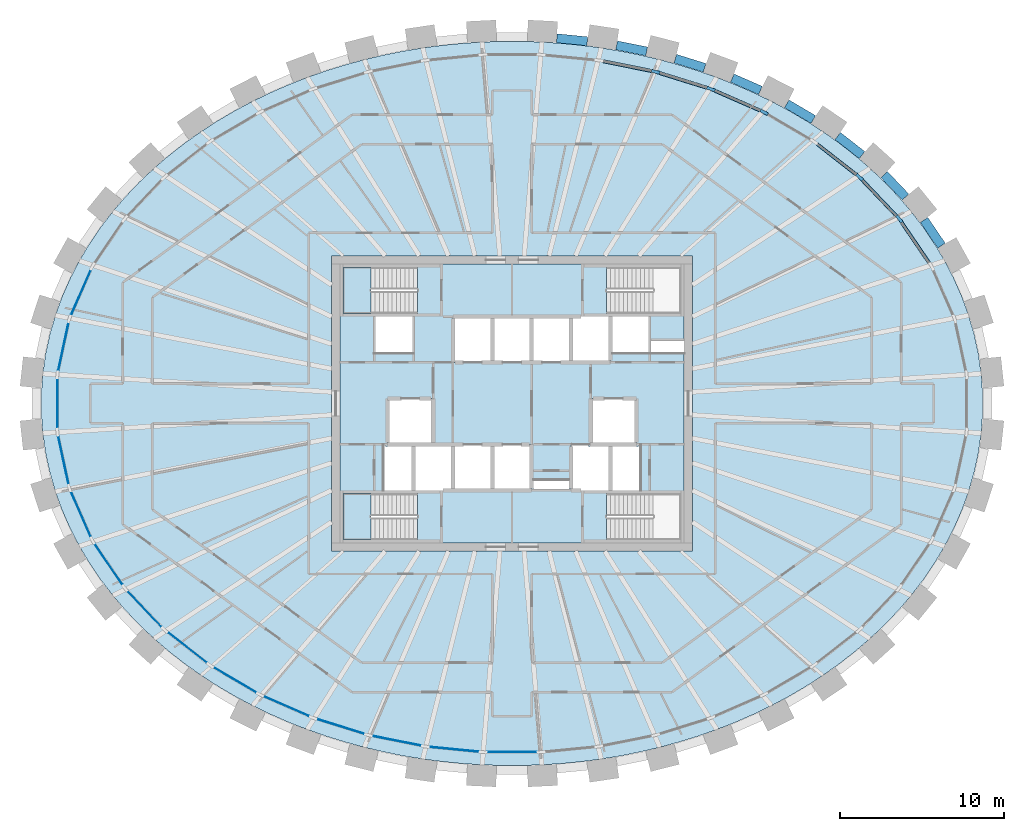
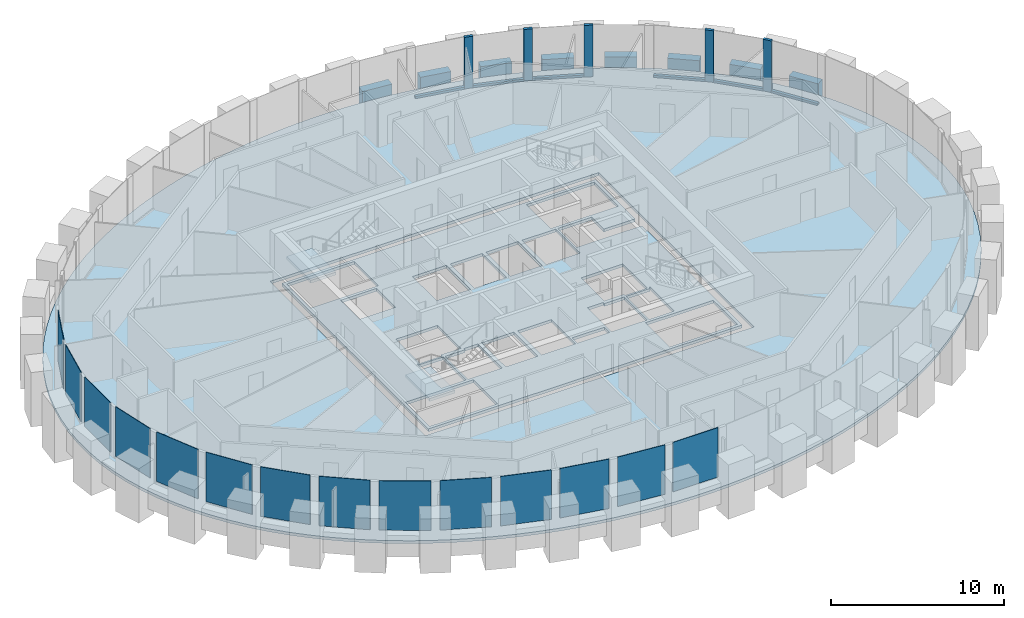
# One storey, part 4 of 11: 14 plates, 11 members, 8 beams, 4 slabs, 3 elements without a shape of their own.
"""IFC4 building model written with IfcOpenShell, lengths in metres."""

from ifc_helpers import new_model, si_unit, direction, frame, origin, origin_2d, place, context, subcontext, project, spatial, polyline, rectangle, outline, extrude, source, transform, mapped, material, layer, layer_set, material_profile, profile_set, type_object, element, aggregate, save


model = new_model("IFC4")

# Units and contexts
model_context = context("Model", 3, precision=1e-05, world=origin(), true_north=direction((0.0, 1.0)))
body_context = subcontext(model_context, "Body", "Model", "MODEL_VIEW")
ifc_project = project(units=[si_unit("LENGTHUNIT", "METRE"), si_unit("AREAUNIT", "SQUARE_METRE"), si_unit("VOLUMEUNIT", "CUBIC_METRE"), si_unit("PLANEANGLEUNIT", "RADIAN"), si_unit("MASSUNIT", "GRAM", prefix="KILO")], contexts=[model_context])

# Site, building, storey
site_placement = place(None, origin())
site = spatial("IfcSite", under=ifc_project, at=site_placement, CompositionType="ELEMENT")
building_placement = place(site_placement, origin())
building = spatial("IfcBuilding", under=site, at=building_placement, Name="Embergate Tower", CompositionType="ELEMENT")
storey_placement = place(building_placement, frame((0.0, 0.0, 328.60009765625)))
storey = spatial("IfcBuildingStorey", under=building, at=storey_placement, Name="L77", CompositionType="ELEMENT", Elevation=328.60009765625)

# Beams
ifc_material_1 = material(Name="Concrete C50", Category="concrete")
ifc_material_profile_1 = material_profile(ifc_material_1, rectangle(XDim=0.550048828125, YDim=1.5, at=origin_2d()), Name="RC 550x1500")
ifc_profile_set_1 = profile_set([ifc_material_profile_1], Name="Concrete C50")
beam_type = type_object("IfcBeamType", Name="Spandrel beam RC 550x1500 C50", PredefinedType="BEAM", material=ifc_profile_set_1)
shared_shape_1 = source(origin(), body_context, "Body", "SweptSolid", [
    extrude(rectangle(XDim=0.550048828125, YDim=1.5, at=origin_2d()), origin(), (0.0, 0.0, 1.0), 1.893798828125),
])
beam_1_placement = place(storey_placement, frame((26.194091796875, 9.6240234375, 0.0), z_axis=(-0.562440477268, 0.826837777034, 0.0), x_axis=(-0.826837777034, -0.562440477268, 0.0)))
element("IfcBeam", 1, at=beam_1_placement, inside=storey, type_object=beam_type, Name="SPN-L77-02", PredefinedType="BEAM", context=body_context, shape_type="MappedRepresentation", body=[
    mapped(shared_shape_1, transform((0.0, 0.0, 0.0))),
])
shared_shape_2 = source(origin(), body_context, "Body", "SweptSolid", [
    extrude(rectangle(XDim=0.550048828125, YDim=1.5, at=origin_2d()), origin(), (0.0, 0.0, 1.0), 1.8876953125),
])
beam_2_placement = place(storey_placement, frame((23.998046875, 12.590087890625, 0.0), z_axis=(-0.69022655599, 0.723593325982, 0.0), x_axis=(-0.723593325982, -0.69022655599, 0.0)))
element("IfcBeam", 2, at=beam_2_placement, inside=storey, type_object=beam_type, Name="SPN-L77-03", PredefinedType="BEAM", context=body_context, shape_type="MappedRepresentation", body=[
    mapped(shared_shape_2, transform((0.0, 0.0, 0.0))),
])
shared_shape_3 = source(origin(), body_context, "Body", "SweptSolid", [
    extrude(rectangle(XDim=0.550048828125, YDim=1.5, at=origin_2d()), origin(), (0.0, 0.0, 1.0), 1.88232421875),
])
beam_3_placement = place(storey_placement, frame((21.347900390625, 15.14990234375, 0.0), z_axis=(-0.788303508782, 0.615286582043, 0.0), x_axis=(-0.615286582043, -0.788303508782, 0.0)))
element("IfcBeam", 3, at=beam_3_placement, inside=storey, type_object=beam_type, Name="SPN-L77-04", PredefinedType="BEAM", context=body_context, shape_type="MappedRepresentation", body=[
    mapped(shared_shape_3, transform((0.0, 0.0, 0.0))),
])
shared_shape_4 = source(origin(), body_context, "Body", "SweptSolid", [
    extrude(rectangle(XDim=0.550048828125, YDim=1.5, at=origin_2d()), origin(), (0.0, 0.0, 1.0), 1.87939453125),
])
beam_4_placement = place(storey_placement, frame((18.3759765625, 17.320068359375, 0.0), z_axis=(-0.861930875636, 0.507025803708, 0.0), x_axis=(-0.507025803708, -0.861930875636, 0.0)))
element("IfcBeam", 4, at=beam_4_placement, inside=storey, type_object=beam_type, Name="SPN-L77-05", PredefinedType="BEAM", context=body_context, shape_type="MappedRepresentation", body=[
    mapped(shared_shape_4, transform((0.0, 0.0, 0.0))),
])
shared_shape_5 = source(origin(), body_context, "Body", "SweptSolid", [
    extrude(rectangle(XDim=0.550048828125, YDim=1.5, at=origin_2d()), origin(), (0.0, 0.0, 1.0), 1.876708984375),
])
beam_5_placement = place(storey_placement, frame((15.153076171875, 19.091064453125, 0.0), z_axis=(-0.916452657221, 0.400143133231, 0.0), x_axis=(-0.400143133231, -0.916452657221, 0.0)))
element("IfcBeam", 5, at=beam_5_placement, inside=storey, type_object=beam_type, Name="SPN-L77-06", PredefinedType="BEAM", context=body_context, shape_type="MappedRepresentation", body=[
    mapped(shared_shape_5, transform((0.0, 0.0, 0.0))),
])
shared_shape_6 = source(origin(), body_context, "Body", "SweptSolid", [
    extrude(rectangle(XDim=0.550048828125, YDim=1.5, at=origin_2d()), origin(), (0.0, 0.0, 1.0), 1.873779296875),
])
for number, where, z_axis, x_axis, name in (
    (6, (11.7470703125, 20.470947265625, 0.0), (-0.954776255033, 0.297325247542, 0.0), (-0.297325247542, -0.954776255033, 0.0), "SPN-L77-07"),
    (7, (8.214111328125, 21.472900390625, 0.0), (-0.980404898084, 0.196992984173, 0.0), (-0.196992984173, -0.980404898084, 0.0), "SPN-L77-08"),
):
    element("IfcBeam", number, at=place(storey_placement, frame(where, z_axis=z_axis, x_axis=x_axis)), inside=storey, type_object=beam_type, Name=name, PredefinedType="BEAM", context=body_context, shape_type="MappedRepresentation", body=[
        mapped(shared_shape_6, transform((0.0, 0.0, 0.0))),
    ])
shared_shape_7 = source(origin(), body_context, "Body", "SweptSolid", [
    extrude(rectangle(XDim=0.550048828125, YDim=1.5, at=origin_2d()), origin(), (0.0, 0.0, 1.0), 1.87109375),
])
beam_6_placement = place(storey_placement, frame((4.593994140625, 22.0869140625, 0.0), z_axis=(-0.995148946648, 0.098379743775, 0.0), x_axis=(-0.098379743775, -0.995148946648, 0.0)))
element("IfcBeam", 8, at=beam_6_placement, inside=storey, type_object=beam_type, Name="SPN-L77-09", PredefinedType="BEAM", context=body_context, shape_type="MappedRepresentation", body=[
    mapped(shared_shape_7, transform((0.0, 0.0, 0.0))),
])

# Curtain wall, members
ifc_material_2 = material(Name="Aluminium and glass", Category="aluminium")
curtain_wall_type = type_object("IfcCurtainWallType", Name="Recessed office glazing", PredefinedType="NOTDEFINED", material=ifc_material_2)
curtain_wall_placement = place(storey_placement, origin())
curtain_wall = element("IfcCurtainWall", 9, at=curtain_wall_placement, inside=storey, type_object=curtain_wall_type, Name="Recessed office glazing ring", ObjectType="RECESSED OFFICE GLAZING", PredefinedType="USERDEFINED")
ifc_material_3 = material(Name="Aluminium, thermally broken", Category="aluminium")
ifc_material_profile_2 = material_profile(ifc_material_3, rectangle(XDim=0.179931640625, YDim=0.52001953125, at=origin_2d()), Name="AL 520x180")
ifc_profile_set_2 = profile_set([ifc_material_profile_2], Name="Aluminium, thermally broken")
member_type_1 = type_object("IfcMemberType", Name="Office mullion", PredefinedType="MULLION", material=ifc_profile_set_2)
shared_shape_8 = source(origin(), body_context, "Body", "SweptSolid", [
    extrude(rectangle(XDim=0.179931640625, YDim=0.52001953125, at=origin_2d()), origin(), (0.0, 0.0, 1.0), 3.64990234375),
])
member_1_placement = place(storey_placement, frame((23.615234375, 11.260009765625, 0.0), z_axis=(0.0, 0.0, 1.0), x_axis=(-0.777856112038, -0.628442414996, 0.0)))
member_1 = element("IfcMember", 10, at=member_1_placement, type_object=member_type_1, Name="CW mullion 4", PredefinedType="MULLION", context=body_context, shape_type="MappedRepresentation", body=[
    mapped(shared_shape_8, transform((0.0, 0.0, 0.0))),
])
member_2_placement = place(storey_placement, frame((21.189453125, 13.8037109375, 0.0), z_axis=(0.0, 0.0, 1.0), x_axis=(-0.671212302811, -0.741265164807, 0.0)))
member_2 = element("IfcMember", 11, at=member_2_placement, type_object=member_type_1, Name="CW mullion 5", PredefinedType="MULLION", context=body_context, shape_type="MappedRepresentation", body=[
    mapped(shared_shape_8, transform((0.0, 0.0, 0.0))),
])
member_3_placement = place(storey_placement, frame((15.371826171875, 17.758544921875, 0.0), z_axis=(0.0, 0.0, 1.0), x_axis=(-0.454502052684, -0.890745689917, 0.0)))
member_3 = element("IfcMember", 12, at=member_3_placement, type_object=member_type_1, Name="CW mullion 7", PredefinedType="MULLION", context=body_context, shape_type="MappedRepresentation", body=[
    mapped(shared_shape_8, transform((0.0, 0.0, 0.0))),
])
member_4_placement = place(storey_placement, frame((12.135498046875, 19.173583984375, 0.0), z_axis=(0.0, 0.0, 1.0), x_axis=(-0.349496141799, -0.936937803094, 0.0)))
member_4 = element("IfcMember", 13, at=member_4_placement, type_object=member_type_1, Name="CW mullion 8", PredefinedType="MULLION", context=body_context, shape_type="MappedRepresentation", body=[
    mapped(shared_shape_8, transform((0.0, 0.0, 0.0))),
])
member_5_placement = place(storey_placement, frame((8.760009765625, 20.22509765625, 0.0), z_axis=(0.0, 0.0, 1.0), x_axis=(-0.24730680803, -0.968937223303, 0.0)))
member_5 = element("IfcMember", 14, at=member_5_placement, type_object=member_type_1, Name="CW mullion 9", PredefinedType="MULLION", context=body_context, shape_type="MappedRepresentation", body=[
    mapped(shared_shape_8, transform((0.0, 0.0, 0.0))),
])
ifc_material_profile_3 = material_profile(ifc_material_3, rectangle(XDim=0.179931640625, YDim=0.14990234375, at=origin_2d()), Name="AL 150x180")
ifc_profile_set_3 = profile_set([ifc_material_profile_3], Name="Aluminium, thermally broken")
member_type_2 = type_object("IfcMemberType", Name="Office sill transom", PredefinedType="USERDEFINED", material=ifc_profile_set_3)
shared_shape_9 = source(origin(), body_context, "Body", "SweptSolid", [
    extrude(rectangle(XDim=0.179931640625, YDim=0.14990234375, at=origin_2d()), origin(), (0.0, 0.0, 1.0), 2.986328125),
])
member_6_placement = place(storey_placement, frame((25.44091796875, 8.57568359375, 0.074951171875), z_axis=(-0.562354741313, 0.826896090766, 0.0), x_axis=(-0.826896090766, -0.562354741313, 0.0)))
member_6 = element("IfcMember", 15, at=member_6_placement, type_object=member_type_2, Name="CW transom 3.1", ObjectType="TRANSOM", PredefinedType="USERDEFINED", context=body_context, shape_type="MappedRepresentation", body=[
    mapped(shared_shape_9, transform((0.0, 0.0, 0.0))),
])
shared_shape_10 = source(origin(), body_context, "Body", "SweptSolid", [
    extrude(rectangle(XDim=0.179931640625, YDim=0.14990234375, at=origin_2d()), origin(), (0.0, 0.0, 1.0), 2.994873046875),
])
member_7_placement = place(storey_placement, frame((23.435791015625, 11.4482421875, 0.074951171875), z_axis=(-0.690155764785, 0.723660846208, 0.0), x_axis=(-0.723660846208, -0.690155764785, 0.0)))
member_7 = element("IfcMember", 16, at=member_7_placement, type_object=member_type_2, Name="CW transom 4.1", ObjectType="TRANSOM", PredefinedType="USERDEFINED", context=body_context, shape_type="MappedRepresentation", body=[
    mapped(shared_shape_10, transform((0.0, 0.0, 0.0))),
])
shared_shape_11 = source(origin(), body_context, "Body", "SweptSolid", [
    extrude(rectangle(XDim=0.179931640625, YDim=0.14990234375, at=origin_2d()), origin(), (0.0, 0.0, 1.0), 3.002197265625),
])
member_8_placement = place(storey_placement, frame((20.984619140625, 13.963623046875, 0.074951171875), z_axis=(-0.788317707507, 0.615268390241, 0.0), x_axis=(-0.615268390241, -0.788317707507, 0.0)))
member_8 = element("IfcMember", 17, at=member_8_placement, type_object=member_type_2, Name="CW transom 5.1", ObjectType="TRANSOM", PredefinedType="USERDEFINED", context=body_context, shape_type="MappedRepresentation", body=[
    mapped(shared_shape_11, transform((0.0, 0.0, 0.0))),
])
shared_shape_12 = source(origin(), body_context, "Body", "SweptSolid", [
    extrude(rectangle(XDim=0.179931640625, YDim=0.14990234375, at=origin_2d()), origin(), (0.0, 0.0, 1.0), 3.01220703125),
])
member_9_placement = place(storey_placement, frame((15.1337890625, 17.86279296875, 0.074951171875), z_axis=(-0.91624473838, 0.400618995295, 0.0), x_axis=(-0.400618995295, -0.91624473838, 0.0)))
member_9 = element("IfcMember", 18, at=member_9_placement, type_object=member_type_2, Name="CW transom 7.1", ObjectType="TRANSOM", PredefinedType="USERDEFINED", context=body_context, shape_type="MappedRepresentation", body=[
    mapped(shared_shape_12, transform((0.0, 0.0, 0.0))),
])
shared_shape_13 = source(origin(), body_context, "Body", "SweptSolid", [
    extrude(rectangle(XDim=0.179931640625, YDim=0.14990234375, at=origin_2d()), origin(), (0.0, 0.0, 1.0), 3.01513671875),
])
member_10_placement = place(storey_placement, frame((11.88720703125, 19.251220703125, 0.074951171875), z_axis=(-0.95477916578, 0.297315900335, 0.0), x_axis=(-0.297315900335, -0.95477916578, 0.0)))
member_10 = element("IfcMember", 19, at=member_10_placement, type_object=member_type_2, Name="CW transom 8.1", ObjectType="TRANSOM", PredefinedType="USERDEFINED", context=body_context, shape_type="MappedRepresentation", body=[
    mapped(shared_shape_13, transform((0.0, 0.0, 0.0))),
])
shared_shape_14 = source(origin(), body_context, "Body", "SweptSolid", [
    extrude(rectangle(XDim=0.179931640625, YDim=0.14990234375, at=origin_2d()), origin(), (0.0, 0.0, 1.0), 3.017578125),
])
member_11_placement = place(storey_placement, frame((8.505126953125, 20.276123046875, 0.074951171875), z_axis=(-0.980484093773, 0.196598427912, 0.0), x_axis=(-0.196598427912, -0.980484093773, 0.0)))
member_11 = element("IfcMember", 20, at=member_11_placement, type_object=member_type_2, Name="CW transom 9.1", ObjectType="TRANSOM", PredefinedType="USERDEFINED", context=body_context, shape_type="MappedRepresentation", body=[
    mapped(shared_shape_14, transform((0.0, 0.0, 0.0))),
])

# Slab
ifc_material_4 = material(Name="Concrete C40", Category="concrete")
ifc_layer_1 = layer(ifc_material_4, 0.199951171875)
ifc_layer_set_1 = layer_set([ifc_layer_1], Name="Concrete C40")
slab_type_1 = type_object("IfcSlabType", Name="Composite floor slab C40 200", PredefinedType="FLOOR", material=ifc_layer_set_1)
shared_shape_15 = source(origin(), body_context, "Body", "SweptSolid", [
    extrude(outline(polyline([(0.0, 0.0), (1.2138671875, 0.0), (2.427978515625, 0.0390625), (3.641845703125, 0.118896484375), (4.849853515625, 0.238037109375), (6.051025390625, 0.39599609375), (7.25390625, 0.594970703125), (8.44482421875, 0.833984375), (9.620849609375, 1.112060546875), (10.800048828125, 1.43408203125), (11.9599609375, 1.794921875), (13.097900390625, 2.194091796875), (14.23681640625, 2.64208984375), (15.349853515625, 3.12890625), (16.432861328125, 3.653076171875), (17.515869140625, 4.23095703125), (18.56298828125, 4.845947265625), (19.571044921875, 5.498046875), (20.573974609375, 6.208984375), (21.531005859375, 6.9560546875), (22.44091796875, 7.738037109375), (23.333984375, 8.5830078125), (24.171875, 9.4619140625), (24.951904296875, 10.37109375), (25.700927734375, 11.346923828125), (26.3828125, 12.35009765625), (26.998046875, 13.380126953125), (27.56103515625, 14.468994140625), (28.048828125, 15.5810546875), (28.458984375, 16.7099609375), (28.796875, 17.884033203125), (29.052978515625, 19.070068359375), (29.223876953125, 20.264892578125), (29.309814453125, 21.47607421875), (29.309814453125, 22.68994140625), (29.223876953125, 23.901123046875), (29.052978515625, 25.095947265625), (28.796875, 26.281982421875), (28.458984375, 27.4560546875), (28.048828125, 28.5849609375), (27.56103515625, 29.697021484375), (26.998046875, 30.785888671875), (26.3828125, 31.81591796875), (25.700927734375, 32.819091796875), (24.951904296875, 33.794921875), (24.171875, 34.7041015625), (23.333984375, 35.5830078125), (22.44091796875, 36.427978515625), (21.531005859375, 37.2099609375), (20.573974609375, 37.95703125), (19.571044921875, 38.66796875), (18.56298828125, 39.320068359375), (17.515869140625, 39.93505859375), (16.432861328125, 40.512939453125), (15.349853515625, 41.037109375), (14.23681640625, 41.52392578125), (13.097900390625, 41.971923828125), (11.9599609375, 42.37109375), (10.800048828125, 42.73193359375), (9.620849609375, 43.053955078125), (8.44482421875, 43.33203125), (7.25390625, 43.571044921875), (6.051025390625, 43.77001953125), (4.849853515625, 43.927978515625), (3.641845703125, 44.047119140625), (2.427978515625, 44.126953125), (1.2138671875, 44.166015625), (0.0, 44.166015625), (-1.214111328125, 44.126953125), (-2.427978515625, 44.047119140625), (-3.635986328125, 43.927978515625), (-4.837158203125, 43.77001953125), (-6.0400390625, 43.571044921875), (-7.23095703125, 43.33203125), (-8.406982421875, 43.053955078125), (-9.586181640625, 42.73193359375), (-10.74609375, 42.37109375), (-11.884033203125, 41.971923828125), (-13.02294921875, 41.52392578125), (-14.135986328125, 41.037109375), (-15.218994140625, 40.512939453125), (-16.302001953125, 39.93505859375), (-17.34912109375, 39.320068359375), (-18.357177734375, 38.66796875), (-19.360107421875, 37.95703125), (-20.317138671875, 37.2099609375), (-21.22705078125, 36.427978515625), (-22.1201171875, 35.5830078125), (-22.9580078125, 34.7041015625), (-23.738037109375, 33.794921875), (-24.487060546875, 32.819091796875), (-25.1689453125, 31.81591796875), (-25.7841796875, 30.785888671875), (-26.34716796875, 29.697021484375), (-26.8349609375, 28.5849609375), (-27.2451171875, 27.4560546875), (-27.5830078125, 26.281982421875), (-27.839111328125, 25.095947265625), (-28.010009765625, 23.901123046875), (-28.095947265625, 22.68994140625), (-28.095947265625, 21.47607421875), (-28.010009765625, 20.264892578125), (-27.839111328125, 19.070068359375), (-27.5830078125, 17.884033203125), (-27.2451171875, 16.7099609375), (-26.8349609375, 15.5810546875), (-26.34716796875, 14.468994140625), (-25.7841796875, 13.380126953125), (-25.1689453125, 12.35009765625), (-24.487060546875, 11.346923828125), (-23.738037109375, 10.37109375), (-22.9580078125, 9.4619140625), (-22.1201171875, 8.5830078125), (-21.22705078125, 7.738037109375), (-20.317138671875, 6.9560546875), (-19.360107421875, 6.208984375), (-18.357177734375, 5.498046875), (-17.34912109375, 4.845947265625), (-16.302001953125, 4.23095703125), (-15.218994140625, 3.653076171875), (-14.135986328125, 3.12890625), (-13.02294921875, 2.64208984375), (-11.884033203125, 2.194091796875), (-10.74609375, 1.794921875), (-9.586181640625, 1.43408203125), (-8.406982421875, 1.112060546875), (-7.23095703125, 0.833984375), (-6.0400390625, 0.594970703125), (-4.837158203125, 0.39599609375), (-3.635986328125, 0.238037109375), (-2.427978515625, 0.118896484375), (-1.214111328125, 0.0390625), (0.0, 0.0)]), holes=[polyline([(-10.39306640625, 13.0830078125), (-10.39306640625, 31.0830078125), (11.60693359375, 31.0830078125), (11.60693359375, 13.0830078125), (-10.39306640625, 13.0830078125)])]), origin(), (0.0, 0.0, 1.0), 0.2001953125),
])
slab_1_placement = place(storey_placement, frame((-0.60693359375, -22.0830078125, -0.2001953125)))
element("IfcSlab", 21, at=slab_1_placement, inside=storey, type_object=slab_type_1, Name="SLB-L77-00", PredefinedType="FLOOR", context=body_context, shape_type="MappedRepresentation", body=[
    mapped(shared_shape_15, transform((0.0, 0.0, 0.0))),
])

# Plate
ifc_material_5 = material(Name="Triple glazing, low-emissivity coating", Category="glass")
ifc_layer_2 = layer(ifc_material_5, 0.035888671875)
ifc_layer_set_2 = layer_set([ifc_layer_2], Name="Triple glazing, low-emissivity coating")
plate_type = type_object("IfcPlateType", Name="Office glazing unit", PredefinedType="CURTAIN_PANEL", material=ifc_layer_set_2)
shared_shape_16 = source(origin(), body_context, "Body", "SweptSolid", [
    extrude(rectangle(XDim=2.97119140625, YDim=0.035888671875, at=origin_2d()), origin(), (0.0, 0.0, 1.0), 3.5),
])
plate_1_placement = place(storey_placement, frame((-27.359130859375, 3.450927734375, 0.14990234375), z_axis=(0.0, 0.0, 1.0), x_axis=(-0.210401803698, -0.977614996305, 0.0)))
plate_1 = element("IfcPlate", 22, at=plate_1_placement, type_object=plate_type, Name="CW panel 21.1", PredefinedType="CURTAIN_PANEL", context=body_context, shape_type="MappedRepresentation", body=[
    mapped(shared_shape_16, transform((0.0, 0.0, 0.0))),
])

plate_2_placement = place(storey_placement, frame((-27.359130859375, -3.450927734375, 0.14990234375), z_axis=(0.0, 0.0, 1.0), x_axis=(0.210401803698, -0.977614996305, 0.0)))
plate_2 = element("IfcPlate", 23, at=plate_2_placement, type_object=plate_type, Name="CW panel 23.1", PredefinedType="CURTAIN_PANEL", context=body_context, shape_type="MappedRepresentation", body=[
    mapped(shared_shape_16, transform((0.0, 0.0, 0.0))),
])

shared_shape_17 = source(origin(), body_context, "Body", "SweptSolid", [
    extrude(rectangle(XDim=2.977783203125, YDim=0.035888671875, at=origin_2d()), origin(), (0.0, 0.0, 1.0), 3.5),
])
plate_3_placement = place(storey_placement, frame((-26.28955078125, 6.759033203125, 0.14990234375), z_axis=(0.0, 0.0, 1.0), x_axis=(-0.401658494584, -0.915789524797, 0.0)))
plate_3 = element("IfcPlate", 24, at=plate_3_placement, type_object=plate_type, Name="CW panel 20.1", PredefinedType="CURTAIN_PANEL", context=body_context, shape_type="MappedRepresentation", body=[
    mapped(shared_shape_17, transform((0.0, 0.0, 0.0))),
])

plate_4_placement = place(storey_placement, frame((-26.28955078125, -6.759033203125, 0.14990234375), z_axis=(0.0, 0.0, 1.0), x_axis=(0.401658494584, -0.915789524797, 0.0)))
plate_4 = element("IfcPlate", 25, at=plate_4_placement, type_object=plate_type, Name="CW panel 24.1", PredefinedType="CURTAIN_PANEL", context=body_context, shape_type="MappedRepresentation", body=[
    mapped(shared_shape_17, transform((0.0, 0.0, 0.0))),
])

shared_shape_18 = source(origin(), body_context, "Body", "SweptSolid", [
    extrude(rectangle(XDim=2.986328125, YDim=0.035888671875, at=origin_2d()), origin(), (0.0, 0.0, 1.0), 3.5),
])
plate_5_placement = place(storey_placement, frame((-24.60107421875, -9.810302734375, 0.14990234375), z_axis=(0.0, 0.0, 1.0), x_axis=(0.562347514787, -0.826901005328, 0.0)))
plate_5 = element("IfcPlate", 26, at=plate_5_placement, type_object=plate_type, Name="CW panel 25.1", PredefinedType="CURTAIN_PANEL", context=body_context, shape_type="MappedRepresentation", body=[
    mapped(shared_shape_18, transform((0.0, 0.0, 0.0))),
])

shared_shape_19 = source(origin(), body_context, "Body", "SweptSolid", [
    extrude(rectangle(XDim=2.994873046875, YDim=0.035888671875, at=origin_2d()), origin(), (0.0, 0.0, 1.0), 3.5),
])
plate_6_placement = place(storey_placement, frame((-22.40234375, -12.531982421875, 0.14990234375), z_axis=(0.0, 0.0, 1.0), x_axis=(0.690137573644, -0.723678194673, 0.0)))
plate_6 = element("IfcPlate", 27, at=plate_6_placement, type_object=plate_type, Name="CW panel 26.1", PredefinedType="CURTAIN_PANEL", context=body_context, shape_type="MappedRepresentation", body=[
    mapped(shared_shape_19, transform((0.0, 0.0, 0.0))),
])

shared_shape_20 = source(origin(), body_context, "Body", "SweptSolid", [
    extrude(rectangle(XDim=3.001953125, YDim=0.035888671875, at=origin_2d()), origin(), (0.0, 0.0, 1.0), 3.5),
])
plate_7_placement = place(storey_placement, frame((-19.80126953125, -14.88720703125, 0.14990234375), z_axis=(0.0, 0.0, 1.0), x_axis=(0.788322266931, -0.615262548398, 0.0)))
plate_7 = element("IfcPlate", 28, at=plate_7_placement, type_object=plate_type, Name="CW panel 27.1", PredefinedType="CURTAIN_PANEL", context=body_context, shape_type="MappedRepresentation", body=[
    mapped(shared_shape_20, transform((0.0, 0.0, 0.0))),
])

shared_shape_21 = source(origin(), body_context, "Body", "SweptSolid", [
    extrude(rectangle(XDim=3.0078125, YDim=0.035888671875, at=origin_2d()), origin(), (0.0, 0.0, 1.0), 3.5),
])
plate_8_placement = place(storey_placement, frame((-16.892578125, -16.864501953125, 0.14990234375), z_axis=(0.0, 0.0, 1.0), x_axis=(0.862054052374, -0.506816348183, 0.0)))
plate_8 = element("IfcPlate", 29, at=plate_8_placement, type_object=plate_type, Name="CW panel 28.1", PredefinedType="CURTAIN_PANEL", context=body_context, shape_type="MappedRepresentation", body=[
    mapped(shared_shape_21, transform((0.0, 0.0, 0.0))),
])

shared_shape_22 = source(origin(), body_context, "Body", "SweptSolid", [
    extrude(rectangle(XDim=3.01220703125, YDim=0.035888671875, at=origin_2d()), origin(), (0.0, 0.0, 1.0), 3.5),
])
plate_9_placement = place(storey_placement, frame((-13.753662109375, -18.46630859375, 0.14990234375), z_axis=(0.0, 0.0, 1.0), x_axis=(0.916236211741, -0.400638495772, 0.0)))
plate_9 = element("IfcPlate", 30, at=plate_9_placement, type_object=plate_type, Name="CW panel 29.1", PredefinedType="CURTAIN_PANEL", context=body_context, shape_type="MappedRepresentation", body=[
    mapped(shared_shape_22, transform((0.0, 0.0, 0.0))),
])

shared_shape_23 = source(origin(), body_context, "Body", "SweptSolid", [
    extrude(rectangle(XDim=3.015380859375, YDim=0.035888671875, at=origin_2d()), origin(), (0.0, 0.0, 1.0), 3.5),
])
plate_10_placement = place(storey_placement, frame((-10.44775390625, -19.699462890625, 0.14990234375), z_axis=(0.0, 0.0, 1.0), x_axis=(0.954772217174, -0.297338213676, 0.0)))
plate_10 = element("IfcPlate", 31, at=plate_10_placement, type_object=plate_type, Name="CW panel 30.1", PredefinedType="CURTAIN_PANEL", context=body_context, shape_type="MappedRepresentation", body=[
    mapped(shared_shape_23, transform((0.0, 0.0, 0.0))),
])

shared_shape_24 = source(origin(), body_context, "Body", "SweptSolid", [
    extrude(rectangle(XDim=3.017578125, YDim=0.035888671875, at=origin_2d()), origin(), (0.0, 0.0, 1.0), 3.5),
])
plate_11_placement = place(storey_placement, frame((-7.025634765625, -20.57275390625, 0.14990234375), z_axis=(0.0, 0.0, 1.0), x_axis=(0.980475907409, -0.196639250889, 0.0)))
plate_11 = element("IfcPlate", 32, at=plate_11_placement, type_object=plate_type, Name="CW panel 31.1", PredefinedType="CURTAIN_PANEL", context=body_context, shape_type="MappedRepresentation", body=[
    mapped(shared_shape_24, transform((0.0, 0.0, 0.0))),
])

shared_shape_25 = source(origin(), body_context, "Body", "SweptSolid", [
    extrude(rectangle(XDim=3.018798828125, YDim=0.035888671875, at=origin_2d()), origin(), (0.0, 0.0, 1.0), 3.5),
])
plate_12_placement = place(storey_placement, frame((-3.530517578125, -21.09375, 0.14990234375), z_axis=(0.0, 0.0, 1.0), x_axis=(0.995203184788, -0.097829550688, 0.0)))
plate_12 = element("IfcPlate", 33, at=plate_12_placement, type_object=plate_type, Name="CW panel 32.1", PredefinedType="CURTAIN_PANEL", context=body_context, shape_type="MappedRepresentation", body=[
    mapped(shared_shape_25, transform((0.0, 0.0, 0.0))),
])

shared_shape_26 = source(origin(), body_context, "Body", "SweptSolid", [
    extrude(rectangle(XDim=3.019287109375, YDim=0.035888671875, at=origin_2d()), origin(), (0.0, 0.0, 1.0), 3.5),
])
plate_13_placement = place(storey_placement, frame((0.0, -21.266845703125, 0.14990234375), z_axis=(0.0, 0.0, 1.0), x_axis=(1.0, 0.0, 0.0)))
plate_13 = element("IfcPlate", 34, at=plate_13_placement, type_object=plate_type, Name="CW panel 33.1", PredefinedType="CURTAIN_PANEL", context=body_context, shape_type="MappedRepresentation", body=[
    mapped(shared_shape_26, transform((0.0, 0.0, 0.0))),
])

shared_shape_27 = source(origin(), body_context, "Body", "SweptSolid", [
    extrude(rectangle(XDim=2.968505859375, YDim=0.035888671875, at=origin_2d()), origin(), (0.0, 0.0, 1.0), 3.5),
])
plate_14_placement = place(storey_placement, frame((-27.7265625, 0.0, 0.14990234375), z_axis=(0.0, 0.0, 1.0), x_axis=(0.0, -1.0, 0.0)))
plate_14 = element("IfcPlate", 35, at=plate_14_placement, type_object=plate_type, Name="CW panel 22.1", PredefinedType="CURTAIN_PANEL", context=body_context, shape_type="MappedRepresentation", body=[
    mapped(shared_shape_27, transform((0.0, 0.0, 0.0))),
])

aggregate(curtain_wall, [member_1, member_2, member_3, member_4, member_5, member_6, member_7, member_8, member_9, member_10, member_11, plate_3, plate_1, plate_14, plate_2, plate_4, plate_5, plate_6, plate_7, plate_8, plate_9, plate_10, plate_11, plate_12, plate_13])

# Stair, slab
ifc_material_6 = material(Name="Exit stair")
stair_type = type_object("IfcStairType", Name="Exit stair", PredefinedType="HALF_TURN_STAIR", material=ifc_material_6)
stair_1_placement = place(storey_placement, origin())
stair_1 = element("IfcStair", 36, at=stair_1_placement, inside=storey, type_object=stair_type, Name="L77 Exit stair 1", PredefinedType="HALF_TURN_STAIR")
ifc_layer_3 = layer(ifc_material_4, 0.199951171875)
ifc_layer_set_3 = layer_set([ifc_layer_3], Name="Concrete C40")
slab_type_2 = type_object("IfcSlabType", Name="Stair landing reinforced concrete", PredefinedType="LANDING", material=ifc_layer_set_3)
shared_shape_28 = source(origin(), body_context, "Body", "SweptSolid", [
    extrude(outline(polyline([(0.0, 0.0), (1.68994140625, 0.0), (1.68994140625, 2.800048828125), (0.0, 2.800048828125), (0.0, 0.0)])), origin(), (0.0, 0.0, 1.0), 0.199951171875),
])
slab_2_placement = place(storey_placement, frame((-10.300048828125, 5.5, 1.75)))
slab_2 = element("IfcSlab", 37, at=slab_2_placement, type_object=slab_type_2, Name="ST1 landing 1", PredefinedType="LANDING", context=body_context, shape_type="MappedRepresentation", body=[
    mapped(shared_shape_28, transform((0.0, 0.0, 0.0))),
])
aggregate(stair_1, [slab_2])

stair_2_placement = place(storey_placement, origin())
stair_2 = element("IfcStair", 38, at=stair_2_placement, inside=storey, type_object=stair_type, Name="L77 Exit stair 3", PredefinedType="HALF_TURN_STAIR")
slab_3_placement = place(storey_placement, frame((-10.300048828125, -8.300048828125, 1.75)))
slab_3 = element("IfcSlab", 39, at=slab_3_placement, type_object=slab_type_2, Name="ST3 landing 1", PredefinedType="LANDING", context=body_context, shape_type="MappedRepresentation", body=[
    mapped(shared_shape_28, transform((0.0, 0.0, 0.0))),
])
aggregate(stair_2, [slab_3])

# Slab
ifc_layer_4 = layer(ifc_material_4, 0.199951171875)
ifc_layer_set_4 = layer_set([ifc_layer_4], Name="Concrete C40")
slab_type_3 = type_object("IfcSlabType", Name="Core floor slab 200 reinforced concrete", PredefinedType="FLOOR", material=ifc_layer_set_4)
shared_shape_29 = source(origin(), body_context, "Body", "SweptSolid", [
    extrude(outline(polyline([(0.0, 0.0), (21.0, 0.0), (21.0, 11.60009765625), (18.89990234375, 11.60009765625), (16.625, 11.60009765625), (16.625, 13.800048828125), (18.89990234375, 13.800048828125), (18.89990234375, 12.39990234375), (21.0, 12.39990234375), (21.0, 17.0), (0.0, 17.0), (0.0, 0.0)]), holes=[polyline([(0.199951171875, 0.199951171875), (0.199951171875, 3.0), (4.739990234375, 3.0), (4.739990234375, 0.199951171875), (0.199951171875, 0.199951171875)]), polyline([(16.260009765625, 0.199951171875), (16.260009765625, 3.0), (20.800048828125, 3.0), (20.800048828125, 0.199951171875), (16.260009765625, 0.199951171875)]), polyline([(2.699951171875, 3.199951171875), (2.699951171875, 6.0), (2.77490234375, 6.0), (2.77490234375, 5.875), (4.375, 5.875), (4.375, 3.199951171875), (2.699951171875, 3.199951171875)]), polyline([(4.5, 3.199951171875), (4.5, 5.875), (5.824951171875, 5.875), (5.824951171875, 6.0), (6.77490234375, 6.0), (6.77490234375, 3.199951171875), (4.5, 3.199951171875)]), polyline([(7.02490234375, 3.199951171875), (7.02490234375, 6.0), (9.175048828125, 6.0), (9.175048828125, 3.199951171875), (7.02490234375, 3.199951171875)]), polyline([(9.425048828125, 3.199951171875), (9.425048828125, 6.0), (11.699951171875, 6.0), (11.699951171875, 3.199951171875), (9.425048828125, 3.199951171875)]), polyline([(11.824951171875, 3.199951171875), (11.824951171875, 3.803955078125), (13.97509765625, 3.803955078125), (13.97509765625, 3.199951171875), (11.824951171875, 3.199951171875)]), polyline([(14.10009765625, 3.199951171875), (14.10009765625, 6.0), (15.175048828125, 6.0), (15.175048828125, 5.875), (16.5, 5.875), (16.5, 3.199951171875), (14.10009765625, 3.199951171875)]), polyline([(16.625, 3.199951171875), (16.625, 5.875), (18.22509765625, 5.875), (18.22509765625, 6.0), (18.300048828125, 6.0), (18.300048828125, 3.199951171875), (16.625, 3.199951171875)]), polyline([(2.89990234375, 6.0), (2.89990234375, 8.800048828125), (5.699951171875, 8.800048828125), (5.699951171875, 6.125), (4.375, 6.125), (4.375, 6.0), (2.89990234375, 6.0)]), polyline([(16.625, 6.0), (16.625, 6.125), (15.300048828125, 6.125), (15.300048828125, 8.800048828125), (18.10009765625, 8.800048828125), (18.10009765625, 6.0), (16.625, 6.0)]), polyline([(6.89990234375, 11.0), (6.89990234375, 13.800048828125), (9.175048828125, 13.800048828125), (9.175048828125, 11.0), (6.89990234375, 11.0)]), polyline([(9.425048828125, 11.0), (9.425048828125, 13.800048828125), (11.574951171875, 13.800048828125), (11.574951171875, 11.0), (9.425048828125, 11.0)]), polyline([(11.824951171875, 11.0), (11.824951171875, 13.800048828125), (13.97509765625, 13.800048828125), (13.97509765625, 11.0), (11.824951171875, 11.0)]), polyline([(14.22509765625, 11.0), (14.22509765625, 13.800048828125), (16.5, 13.800048828125), (16.5, 11.0), (14.22509765625, 11.0)]), polyline([(2.10009765625, 11.60009765625), (2.10009765625, 13.800048828125), (4.5, 13.800048828125), (4.5, 11.60009765625), (2.10009765625, 11.60009765625)]), polyline([(0.199951171875, 14.0), (0.199951171875, 16.800048828125), (4.739990234375, 16.800048828125), (4.739990234375, 14.0), (0.199951171875, 14.0)]), polyline([(16.260009765625, 14.0), (16.260009765625, 16.800048828125), (20.800048828125, 16.800048828125), (20.800048828125, 14.0), (16.260009765625, 14.0)])]), origin(), (0.0, 0.0, 1.0), 0.2001953125),
])
slab_4_placement = place(storey_placement, frame((-10.5, -8.5, -0.2001953125)))
element("IfcSlab", 40, at=slab_4_placement, inside=storey, type_object=slab_type_3, Name="Core floor slab", PredefinedType="FLOOR", context=body_context, shape_type="MappedRepresentation", body=[
    mapped(shared_shape_29, transform((0.0, 0.0, 0.0))),
])

save(model, "model.ifc")
